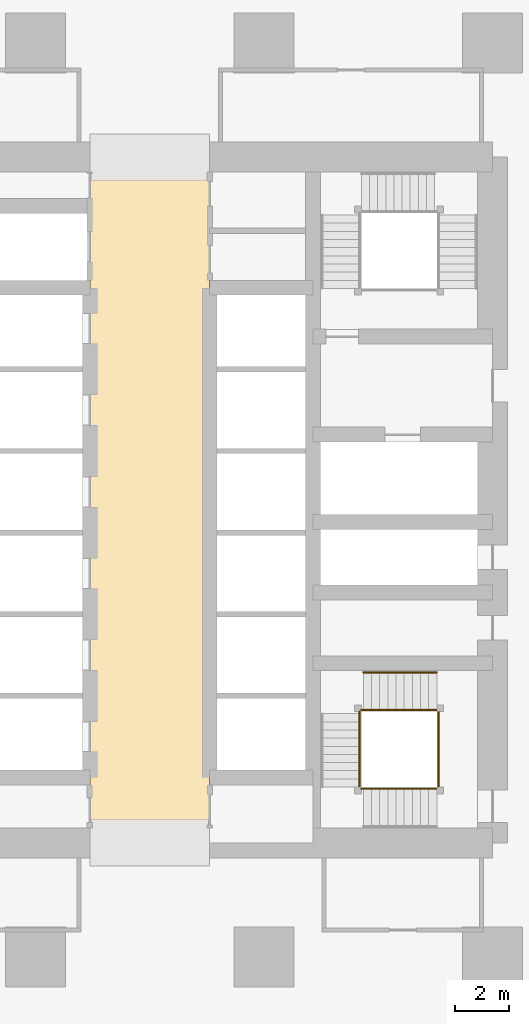
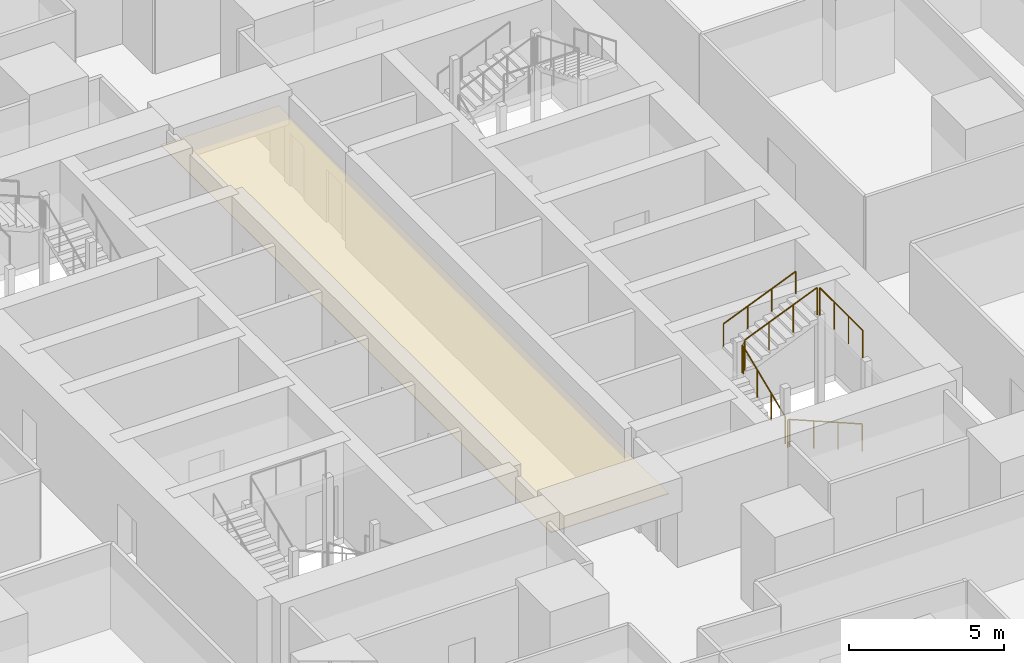
# One storey, part 39 of 44: 8 railings, 1 covering.
"""IFC4 building model written with IfcOpenShell, lengths in metres."""

from ifc_helpers import new_model, si_unit, direction, frame, origin, origin_2d, place, context, subcontext, project, spatial, polyline, circle, outline, extrude, material, layer, layer_set, type_object, element, save


model = new_model("IFC4")

# Units and contexts
model_context = context("Model", 3, precision=1e-05, world=origin(), true_north=direction((0.0, 1.0)))
body_context = subcontext(model_context, "Body", "Model", "MODEL_VIEW")
ifc_project = project(units=[si_unit("LENGTHUNIT", "METRE"), si_unit("AREAUNIT", "SQUARE_METRE"), si_unit("VOLUMEUNIT", "CUBIC_METRE"), si_unit("PLANEANGLEUNIT", "RADIAN"), si_unit("MASSUNIT", "GRAM", prefix="KILO")], contexts=[model_context])

# Site, building, storey
site_placement = place(None, origin())
site = spatial("IfcSite", under=ifc_project, at=site_placement, CompositionType="ELEMENT")
building_placement = place(site_placement, origin())
building = spatial("IfcBuilding", under=site, at=building_placement, Name="Rekha Terrace Tower", CompositionType="ELEMENT")
storey_placement = place(building_placement, frame((0.0, 0.0, 59.14990234375)))
storey = spatial("IfcBuildingStorey", under=building, at=storey_placement, Name="L14", CompositionType="ELEMENT", Elevation=59.14990234375)

# Covering
ifc_material_1 = material(Name="Powder-coated aluminium pan", Category="aluminium")
ifc_layer = layer(ifc_material_1, 0.030029296875)
ifc_layer_set = layer_set([ifc_layer], Name="Powder-coated aluminium pan")
covering_type = type_object("IfcCoveringType", Name="CL3 300x1200 metal pan ceiling", PredefinedType="CEILING", material=ifc_layer_set)
covering_placement = place(storey_placement, frame((0.0, 0.0, 2.570068359375)))
element("IfcCovering", 1, at=covering_placement, inside=storey, type_object=covering_type, Name="Ceiling L14-LOBBY", PredefinedType="CEILING", context=body_context, shape_type="SweptSolid", body=[
    extrude(outline(polyline([(40.0, 46.199951171875), (35.60009765625, 46.199951171875), (35.60009765625, 21.0), (40.0, 21.0), (40.0, 46.199951171875)])), origin(), (0.0, 0.0, 1.0), 0.030029296875),
])

# Railings
ifc_material_2 = material(Name="Stainless steel balustrade", Category="steel")
railing_type_1 = type_object("IfcRailingType", Name="GR1 1100 stair guard", PredefinedType="GUARDRAIL", material=ifc_material_2)
railing_1_placement = place(storey_placement, frame((48.35009765625, 22.989990234375, 0.125)))
element("IfcRailing", 2, at=railing_1_placement, inside=storey, type_object=railing_type_1, Name="Guard ST3 L14 flight 1", PredefinedType="GUARDRAIL", context=body_context, shape_type="SweptSolid", body=[
    extrude(circle(Radius=0.02392578125, at=origin_2d()), frame((0.0, 0.0, 1.076171875), z_axis=(-0.923086799901, 0.0, 0.38459167938), x_axis=(0.0, -1.0, 0.0)), (0.0, 0.0, 1.0), 2.92529296875),
    extrude(circle(Radius=0.02099609375, at=origin_2d()), origin(), (0.0, 0.0, 1.0), 1.052001953125),
    extrude(circle(Radius=0.02099609375, at=origin_2d()), frame((-0.900146484375, 0.0, 0.375)), (0.0, 0.0, 1.0), 1.052001953125),
    extrude(circle(Radius=0.02099609375, at=origin_2d()), frame((-1.800048828125, 0.0, 0.75)), (0.0, 0.0, 1.0), 1.052001953125),
    extrude(circle(Radius=0.02099609375, at=origin_2d()), frame((-2.7001953125, 0.0, 1.125)), (0.0, 0.0, 1.0), 1.052001953125),
])
railing_2_placement = place(storey_placement, frame((45.514892578125, 23.050048828125, 1.375)))
element("IfcRailing", 3, at=railing_2_placement, inside=storey, type_object=railing_type_1, Name="Guard ST3 L14 flight 2", PredefinedType="GUARDRAIL", context=body_context, shape_type="SweptSolid", body=[
    extrude(circle(Radius=0.02392578125, at=origin_2d()), frame((0.0, 0.0, 1.076171875), z_axis=(0.0, 0.923074453586, 0.384621311341), x_axis=(-1.0, 0.0, 0.0)), (0.0, 0.0, 1.0), 2.925048828125),
    extrude(circle(Radius=0.02099609375, at=origin_2d()), origin(), (0.0, 0.0, 1.0), 1.052001953125),
    extrude(circle(Radius=0.02099609375, at=origin_2d()), frame((0.0, 0.89990234375, 0.375)), (0.0, 0.0, 1.0), 1.052001953125),
    extrude(circle(Radius=0.02099609375, at=origin_2d()), frame((0.0, 1.800048828125, 0.75)), (0.0, 0.0, 1.0), 1.052001953125),
    extrude(circle(Radius=0.02099609375, at=origin_2d()), frame((0.0, 2.699951171875, 1.125)), (0.0, 0.0, 1.0), 1.052001953125),
])
railing_3_placement = place(storey_placement, frame((45.64990234375, 25.885009765625, 2.625)))
element("IfcRailing", 4, at=railing_3_placement, inside=storey, type_object=railing_type_1, Name="Guard ST3 L14 flight 3", PredefinedType="GUARDRAIL", context=body_context, shape_type="SweptSolid", body=[
    extrude(circle(Radius=0.02392578125, at=origin_2d()), frame((0.0, 0.0, 1.076171875), z_axis=(0.923086799901, 0.0, 0.38459167938), x_axis=(0.0, 1.0, 0.0)), (0.0, 0.0, 1.0), 2.92529296875),
    extrude(circle(Radius=0.02099609375, at=origin_2d()), origin(), (0.0, 0.0, 1.0), 1.052001953125),
    extrude(circle(Radius=0.02099609375, at=origin_2d()), frame((0.900146484375, 0.0, 0.375)), (0.0, 0.0, 1.0), 1.052001953125),
    extrude(circle(Radius=0.02099609375, at=origin_2d()), frame((1.800048828125, 0.0, 0.75)), (0.0, 0.0, 1.0), 1.052001953125),
    extrude(circle(Radius=0.02099609375, at=origin_2d()), frame((2.7001953125, 0.0, 1.125)), (0.0, 0.0, 1.0), 1.052001953125),
])
railing_4_placement = place(storey_placement, frame((45.64990234375, 22.989990234375, 1.25)))
element("IfcRailing", 5, at=railing_4_placement, inside=storey, type_object=railing_type_1, Name="Guard ST3 L14 landing 1", PredefinedType="GUARDRAIL", context=body_context, shape_type="SweptSolid", body=[
    extrude(circle(Radius=0.02392578125, at=origin_2d()), frame((0.0, 0.0, 1.076171875), z_axis=(-1.0, 0.0, 0.0), x_axis=(0.0, -1.0, 0.0)), (0.0, 0.0, 1.0), 0.074951171875),
    extrude(circle(Radius=0.02099609375, at=origin_2d()), origin(), (0.0, 0.0, 1.0), 1.052001953125),
    extrude(circle(Radius=0.02099609375, at=origin_2d()), frame((-0.074951171875, 0.0, 0.0)), (0.0, 0.0, 1.0), 1.052001953125),
])
railing_5_placement = place(storey_placement, frame((45.514892578125, 25.75, 2.5)))
element("IfcRailing", 6, at=railing_5_placement, inside=storey, type_object=railing_type_1, Name="Guard ST3 L14 landing 2", PredefinedType="GUARDRAIL", context=body_context, shape_type="SweptSolid", body=[
    extrude(circle(Radius=0.02392578125, at=origin_2d()), frame((0.0, 0.0, 1.076171875), z_axis=(0.0, 1.0, 0.0), x_axis=(-1.0, 0.0, 0.0)), (0.0, 0.0, 1.0), 0.074951171875),
    extrude(circle(Radius=0.02099609375, at=origin_2d()), origin(), (0.0, 0.0, 1.0), 1.052001953125),
    extrude(circle(Radius=0.02099609375, at=origin_2d()), frame((0.0, 0.074951171875, 0.0)), (0.0, 0.0, 1.0), 1.052001953125),
])
railing_6_placement = place(storey_placement, frame((45.64990234375, 25.885009765625, 2.5)))
element("IfcRailing", 7, at=railing_6_placement, inside=storey, type_object=railing_type_1, Name="Guard ST3 L14 landing 3", PredefinedType="GUARDRAIL", context=body_context, shape_type="SweptSolid", body=[
    extrude(circle(Radius=0.02392578125, at=origin_2d()), frame((0.0, 0.0, 1.076171875), z_axis=(-1.0, 0.0, 0.0), x_axis=(0.0, -1.0, 0.0)), (0.0, 0.0, 1.0), 0.074951171875),
    extrude(circle(Radius=0.02099609375, at=origin_2d()), origin(), (0.0, 0.0, 1.0), 1.052001953125),
    extrude(circle(Radius=0.02099609375, at=origin_2d()), frame((-0.074951171875, 0.0, 0.0)), (0.0, 0.0, 1.0), 1.052001953125),
])
railing_7_placement = place(storey_placement, frame((48.409912109375, 23.050048828125, 3.75)))
element("IfcRailing", 8, at=railing_7_placement, inside=storey, type_object=railing_type_1, Name="Guard ST3 L14 landing 4", PredefinedType="GUARDRAIL", context=body_context, shape_type="SweptSolid", body=[
    extrude(circle(Radius=0.02392578125, at=origin_2d()), frame((0.0, 0.0, 1.076171875), z_axis=(0.0, 1.0, 0.0), x_axis=(-1.0, 0.0, 0.0)), (0.0, 0.0, 1.0), 2.77490234375),
    extrude(circle(Radius=0.02099609375, at=origin_2d()), origin(), (0.0, 0.0, 1.0), 1.052001953125),
    extrude(circle(Radius=0.02099609375, at=origin_2d()), frame((0.0, 0.925048828125, 0.0)), (0.0, 0.0, 1.0), 1.052001953125),
    extrude(circle(Radius=0.02099609375, at=origin_2d()), frame((0.0, 1.849853515625, 0.0)), (0.0, 0.0, 1.0), 1.052001953125),
    extrude(circle(Radius=0.02099609375, at=origin_2d()), frame((0.0, 2.77490234375, 0.0)), (0.0, 0.0, 1.0), 1.052001953125),
])
ifc_material_3 = material(Name="Stainless steel tube", Category="steel")
railing_type_2 = type_object("IfcRailingType", Name="HR1 900 stair handrail", PredefinedType="HANDRAIL", material=ifc_material_3)
railing_8_placement = place(storey_placement, frame((45.64990234375, 27.264892578125, 2.625)))
element("IfcRailing", 9, at=railing_8_placement, inside=storey, type_object=railing_type_2, Name="Handrail ST3 L14 flight 3", PredefinedType="HANDRAIL", context=body_context, shape_type="SweptSolid", body=[
    extrude(circle(Radius=0.02392578125, at=origin_2d()), frame((0.0, 0.0, 0.8759765625), z_axis=(0.923086799901, 0.0, 0.38459167938), x_axis=(0.0, 1.0, 0.0)), (0.0, 0.0, 1.0), 2.92529296875),
    extrude(circle(Radius=0.02099609375, at=origin_2d()), origin(), (0.0, 0.0, 1.0), 0.851806640625),
    extrude(circle(Radius=0.02099609375, at=origin_2d()), frame((0.900146484375, 0.0, 0.375)), (0.0, 0.0, 1.0), 0.851806640625),
    extrude(circle(Radius=0.02099609375, at=origin_2d()), frame((1.800048828125, 0.0, 0.75)), (0.0, 0.0, 1.0), 0.851806640625),
    extrude(circle(Radius=0.02099609375, at=origin_2d()), frame((2.7001953125, 0.0, 1.125)), (0.0, 0.0, 1.0), 0.851806640625),
])

save(model, "model.ifc")
